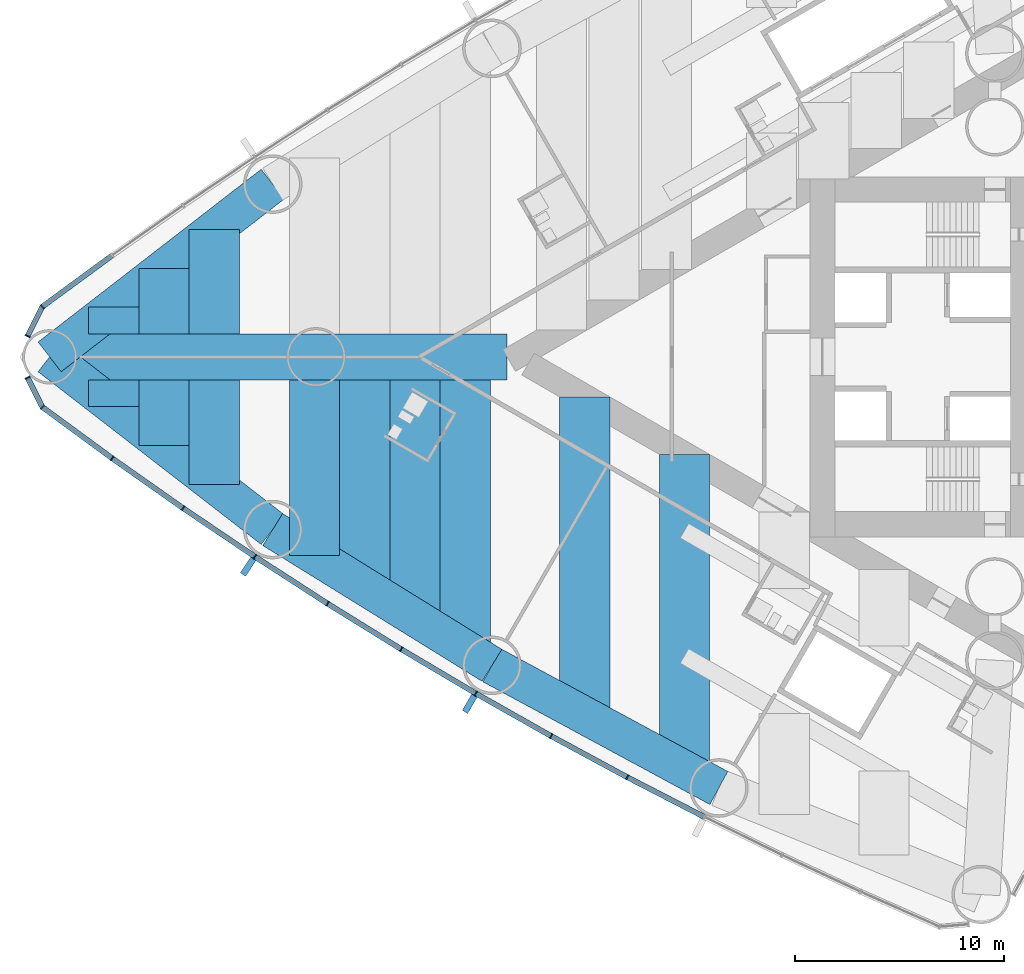
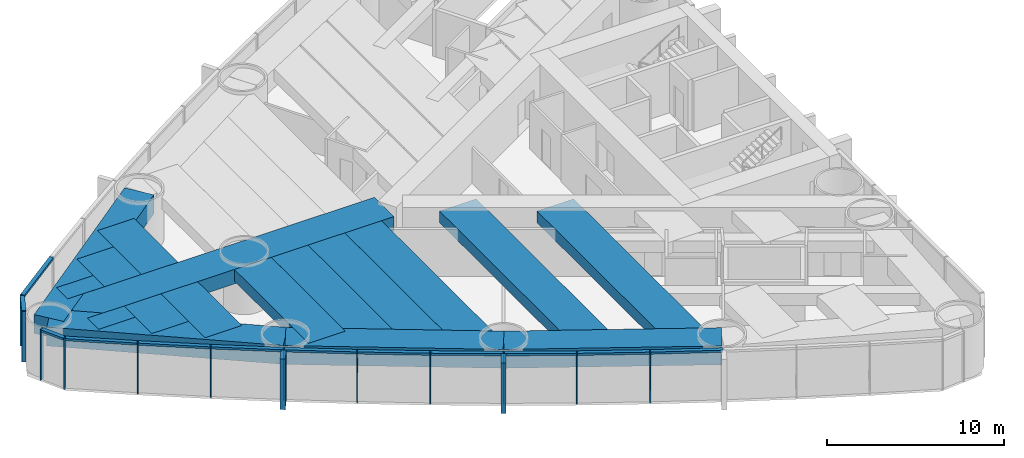
# One storey, part 2 of 18: 26 members, 17 beams, 2 elements without a shape of their own.
"""IFC4 building model written with IfcOpenShell, lengths in metres."""

from ifc_helpers import new_model, si_unit, direction, frame, origin, origin_2d, place, context, subcontext, project, spatial, rectangle, extrude, material, material_profile, profile_set, type_object, element, aggregate, save


model = new_model("IFC4")

# Units and contexts
model_context = context("Model", 3, precision=1e-05, world=origin(), true_north=direction((0.0, 1.0)))
body_context = subcontext(model_context, "Body", "Model", "MODEL_VIEW")
ifc_project = project(units=[si_unit("LENGTHUNIT", "METRE"), si_unit("AREAUNIT", "SQUARE_METRE"), si_unit("VOLUMEUNIT", "CUBIC_METRE"), si_unit("PLANEANGLEUNIT", "RADIAN"), si_unit("MASSUNIT", "GRAM", prefix="KILO")], contexts=[model_context])

# Site, building, storey
site_placement = place(None, origin())
site = spatial("IfcSite", under=ifc_project, at=site_placement, CompositionType="ELEMENT")
building_placement = place(site_placement, origin())
building = spatial("IfcBuilding", under=site, at=building_placement, Name="Lancet Gate Hotel", CompositionType="ELEMENT")
storey_placement = place(building_placement, frame((0.0, 0.0, 42.5)))
storey = spatial("IfcBuildingStorey", under=building, at=storey_placement, Name="L10", CompositionType="ELEMENT", Elevation=42.5)

# Curtain wall, members
ifc_material_1 = material(Name="Aluminium curtain wall", Category="aluminium")
curtain_wall_type = type_object("IfcCurtainWallType", Name="Tower unitised curtain wall", PredefinedType="USERDEFINED", material=ifc_material_1)
curtain_wall_1_placement = place(storey_placement, origin())
curtain_wall_1 = element("IfcCurtainWall", 1, at=curtain_wall_1_placement, inside=storey, type_object=curtain_wall_type, Name="T1 L10 curtain wall 2", ObjectType="UNITISED CURTAIN WALL", PredefinedType="USERDEFINED")
ifc_material_2 = material(Name="Aluminium mullion", Category="aluminium")
ifc_material_profile_1 = material_profile(ifc_material_2, rectangle(XDim=0.06494140625, YDim=0.25, at=origin_2d()), Name="MULLION 65x250")
ifc_profile_set_1 = profile_set([ifc_material_profile_1], Name="Aluminium mullion")
member_type_1 = type_object("IfcMemberType", Name="Aluminium mullion 65x250", PredefinedType="MULLION", material=ifc_profile_set_1)
member_1_placement = place(storey_placement, frame((-74.5830078125, 2.401611328125, 0.0), z_axis=(0.0, 0.0, 1.0), x_axis=(-0.723695580132, -0.690119342793, 0.0)))
member_1 = element("IfcMember", 2, at=member_1_placement, type_object=member_type_1, Name="T1 L10 curtain wall 2 mullion 14", PredefinedType="MULLION", context=body_context, shape_type="SweptSolid", body=[
    extrude(rectangle(XDim=0.06494140625, YDim=0.25, at=origin_2d()), origin(), (0.0, 0.0, 1.0), 3.5),
])
member_2_placement = place(storey_placement, frame((-75.287109375, 0.994873046875, 0.0), z_axis=(0.0, 0.0, 1.0), x_axis=(-0.447628324726, -0.89421970617, 0.0)))
member_2 = element("IfcMember", 3, at=member_2_placement, type_object=member_type_1, Name="T1 L10 curtain wall 2 mullion 15", PredefinedType="MULLION", context=body_context, shape_type="SweptSolid", body=[
    extrude(rectangle(XDim=0.06494140625, YDim=0.25, at=origin_2d()), origin(), (0.0, 0.0, 1.0), 3.5),
])

curtain_wall_2_placement = place(storey_placement, origin())
curtain_wall_2 = element("IfcCurtainWall", 4, at=curtain_wall_2_placement, inside=storey, type_object=curtain_wall_type, Name="T1 L10 curtain wall 3", ObjectType="UNITISED CURTAIN WALL", PredefinedType="USERDEFINED")
member_3_placement = place(storey_placement, frame((-75.287109375, -0.994873046875, 0.0), z_axis=(0.0, 0.0, 1.0), x_axis=(0.447628324726, -0.89421970617, 0.0)))
member_3 = element("IfcMember", 5, at=member_3_placement, type_object=member_type_1, Name="T1 L10 curtain wall 3 mullion 1", PredefinedType="MULLION", context=body_context, shape_type="SweptSolid", body=[
    extrude(rectangle(XDim=0.06494140625, YDim=0.25, at=origin_2d()), origin(), (0.0, 0.0, 1.0), 3.5),
])
member_4_placement = place(storey_placement, frame((-74.5830078125, -2.401611328125, 0.0), z_axis=(0.0, 0.0, 1.0), x_axis=(0.723695580132, -0.690119342793, 0.0)))
member_4 = element("IfcMember", 6, at=member_4_placement, type_object=member_type_1, Name="T1 L10 curtain wall 3 mullion 2", PredefinedType="MULLION", context=body_context, shape_type="SweptSolid", body=[
    extrude(rectangle(XDim=0.06494140625, YDim=0.25, at=origin_2d()), origin(), (0.0, 0.0, 1.0), 3.5),
])
member_5_placement = place(storey_placement, frame((-71.244384765625, -4.85009765625, 0.0), z_axis=(0.0, 0.0, 1.0), x_axis=(0.812146623168, -0.583453393578, 0.0)))
member_5 = element("IfcMember", 7, at=member_5_placement, type_object=member_type_1, Name="T1 L10 curtain wall 3 mullion 3", PredefinedType="MULLION", context=body_context, shape_type="SweptSolid", body=[
    extrude(rectangle(XDim=0.06494140625, YDim=0.25, at=origin_2d()), origin(), (0.0, 0.0, 1.0), 3.5),
])
member_6_placement = place(storey_placement, frame((-67.858154296875, -7.232666015625, 0.0), z_axis=(0.0, 0.0, 1.0), x_axis=(0.823425148573, -0.56742490666, 0.0)))
member_6 = element("IfcMember", 8, at=member_6_placement, type_object=member_type_1, Name="T1 L10 curtain wall 3 mullion 4", PredefinedType="MULLION", context=body_context, shape_type="SweptSolid", body=[
    extrude(rectangle(XDim=0.06494140625, YDim=0.25, at=origin_2d()), origin(), (0.0, 0.0, 1.0), 3.5),
])
member_7_placement = place(storey_placement, frame((-64.42626953125, -9.548583984375, 0.0), z_axis=(0.0, 0.0, 1.0), x_axis=(0.834387381945, -0.55117846189, 0.0)))
member_7 = element("IfcMember", 9, at=member_7_placement, type_object=member_type_1, Name="T1 L10 curtain wall 3 mullion 5", PredefinedType="MULLION", context=body_context, shape_type="SweptSolid", body=[
    extrude(rectangle(XDim=0.06494140625, YDim=0.25, at=origin_2d()), origin(), (0.0, 0.0, 1.0), 3.5),
])
member_8_placement = place(storey_placement, frame((-60.949462890625, -11.796630859375, 0.0), z_axis=(0.0, 0.0, 1.0), x_axis=(0.845029112489, -0.534720299827, 0.0)))
member_8 = element("IfcMember", 10, at=member_8_placement, type_object=member_type_1, Name="T1 L10 curtain wall 3 mullion 6", PredefinedType="MULLION", context=body_context, shape_type="SweptSolid", body=[
    extrude(rectangle(XDim=0.06494140625, YDim=0.25, at=origin_2d()), origin(), (0.0, 0.0, 1.0), 3.5),
])
member_9_placement = place(storey_placement, frame((-57.42919921875, -13.97607421875, 0.0), z_axis=(0.0, 0.0, 1.0), x_axis=(0.855346252548, -0.518056742309, 0.0)))
member_9 = element("IfcMember", 11, at=member_9_placement, type_object=member_type_1, Name="T1 L10 curtain wall 3 mullion 7", PredefinedType="MULLION", context=body_context, shape_type="SweptSolid", body=[
    extrude(rectangle(XDim=0.06494140625, YDim=0.25, at=origin_2d()), origin(), (0.0, 0.0, 1.0), 3.5),
])
member_10_placement = place(storey_placement, frame((-53.866943359375, -16.086181640625, 0.0), z_axis=(0.0, 0.0, 1.0), x_axis=(0.86533483912, -0.501194190115, 0.0)))
member_10 = element("IfcMember", 12, at=member_10_placement, type_object=member_type_1, Name="T1 L10 curtain wall 3 mullion 8", PredefinedType="MULLION", context=body_context, shape_type="SweptSolid", body=[
    extrude(rectangle(XDim=0.06494140625, YDim=0.25, at=origin_2d()), origin(), (0.0, 0.0, 1.0), 3.5),
])
member_11_placement = place(storey_placement, frame((-50.26416015625, -18.1259765625, 0.0), z_axis=(0.0, 0.0, 1.0), x_axis=(0.874991035403, -0.484139120464, 0.0)))
member_11 = element("IfcMember", 13, at=member_11_placement, type_object=member_type_1, Name="T1 L10 curtain wall 3 mullion 9", PredefinedType="MULLION", context=body_context, shape_type="SweptSolid", body=[
    extrude(rectangle(XDim=0.06494140625, YDim=0.25, at=origin_2d()), origin(), (0.0, 0.0, 1.0), 3.5),
])
member_12_placement = place(storey_placement, frame((-46.6220703125, -20.094970703125, 0.0), z_axis=(0.0, 0.0, 1.0), x_axis=(0.884311132302, -0.466898084475, 0.0)))
member_12 = element("IfcMember", 14, at=member_12_placement, type_object=member_type_1, Name="T1 L10 curtain wall 3 mullion 10", PredefinedType="MULLION", context=body_context, shape_type="SweptSolid", body=[
    extrude(rectangle(XDim=0.06494140625, YDim=0.25, at=origin_2d()), origin(), (0.0, 0.0, 1.0), 3.5),
])

# Member
ifc_material_3 = material(Name="Aluminium transom", Category="aluminium")
ifc_material_profile_2 = material_profile(ifc_material_3, rectangle(XDim=0.25, YDim=0.14990234375, at=origin_2d()), Name="TRANSOM 250x150")
ifc_profile_set_2 = profile_set([ifc_material_profile_2], Name="Aluminium transom")
member_type_2 = type_object("IfcMemberType", Name="Aluminium transom 250x150", PredefinedType="USERDEFINED", material=ifc_profile_set_2)
member_13_placement = place(storey_placement, frame((-71.2705078125, 4.8310546875, 3.425048828125), z_axis=(-0.806366902144, -0.59141560609, 0.0), x_axis=(0.59141560609, -0.806366902144, 0.0)))
member_13 = element("IfcMember", 15, at=member_13_placement, type_object=member_type_2, Name="T1 L10 curtain wall 2 transom 13", ObjectType="TRANSOM", PredefinedType="USERDEFINED", context=body_context, shape_type="SweptSolid", body=[
    extrude(rectangle(XDim=0.25, YDim=0.14990234375, at=origin_2d()), origin(), (0.0, 0.0, 1.0), 4.0751953125),
])

member_14_placement = place(storey_placement, frame((-74.597412109375, 2.37255859375, 3.425048828125), z_axis=(-0.447731503446, -0.894168049542, 0.0), x_axis=(0.894168049542, -0.447731503446, 0.0)))
member_14 = element("IfcMember", 16, at=member_14_placement, type_object=member_type_2, Name="T1 L10 curtain wall 2 transom 14", ObjectType="TRANSOM", PredefinedType="USERDEFINED", context=body_context, shape_type="SweptSolid", body=[
    extrude(rectangle(XDim=0.25, YDim=0.14990234375, at=origin_2d()), origin(), (0.0, 0.0, 1.0), 1.50830078125),
])

aggregate(curtain_wall_1, [member_1, member_2, member_13, member_14])

member_15_placement = place(storey_placement, frame((-75.272705078125, -1.02392578125, 3.425048828125), z_axis=(0.447731503446, -0.894168049542, 0.0), x_axis=(0.894168049542, 0.447731503446, 0.0)))
member_15 = element("IfcMember", 17, at=member_15_placement, type_object=member_type_2, Name="T1 L10 curtain wall 3 transom 1", ObjectType="TRANSOM", PredefinedType="USERDEFINED", context=body_context, shape_type="SweptSolid", body=[
    extrude(rectangle(XDim=0.25, YDim=0.14990234375, at=origin_2d()), origin(), (0.0, 0.0, 1.0), 1.50830078125),
])

member_16_placement = place(storey_placement, frame((-74.556640625, -2.4208984375, 3.425048828125), z_axis=(0.806366902144, -0.59141560609, 0.0), x_axis=(0.59141560609, 0.806366902144, 0.0)))
member_16 = element("IfcMember", 18, at=member_16_placement, type_object=member_type_2, Name="T1 L10 curtain wall 3 transom 2", ObjectType="TRANSOM", PredefinedType="USERDEFINED", context=body_context, shape_type="SweptSolid", body=[
    extrude(rectangle(XDim=0.25, YDim=0.14990234375, at=origin_2d()), origin(), (0.0, 0.0, 1.0), 4.0751953125),
])

member_17_placement = place(storey_placement, frame((-71.2177734375, -4.868896484375, 3.425048828125), z_axis=(0.817833568345, -0.57545482402, 0.0), x_axis=(0.57545482402, 0.817833568345, 0.0)))
member_17 = element("IfcMember", 19, at=member_17_placement, type_object=member_type_2, Name="T1 L10 curtain wall 3 transom 3", ObjectType="TRANSOM", PredefinedType="USERDEFINED", context=body_context, shape_type="SweptSolid", body=[
    extrude(rectangle(XDim=0.25, YDim=0.14990234375, at=origin_2d()), origin(), (0.0, 0.0, 1.0), 4.075439453125),
])

member_18_placement = place(storey_placement, frame((-67.831298828125, -7.2509765625, 3.425048828125), z_axis=(0.828959086782, -0.559309245804, 0.0), x_axis=(0.559309245804, 0.828959086782, 0.0)))
member_18 = element("IfcMember", 20, at=member_18_placement, type_object=member_type_2, Name="T1 L10 curtain wall 3 transom 4", ObjectType="TRANSOM", PredefinedType="USERDEFINED", context=body_context, shape_type="SweptSolid", body=[
    extrude(rectangle(XDim=0.25, YDim=0.14990234375, at=origin_2d()), origin(), (0.0, 0.0, 1.0), 4.0751953125),
])

member_19_placement = place(storey_placement, frame((-64.39892578125, -9.566162109375, 3.425048828125), z_axis=(0.839729242404, -0.543005340169, 0.0), x_axis=(0.543005340169, 0.839729242404, 0.0)))
member_19 = element("IfcMember", 21, at=member_19_placement, type_object=member_type_2, Name="T1 L10 curtain wall 3 transom 5", ObjectType="TRANSOM", PredefinedType="USERDEFINED", context=body_context, shape_type="SweptSolid", body=[
    extrude(rectangle(XDim=0.25, YDim=0.14990234375, at=origin_2d()), origin(), (0.0, 0.0, 1.0), 4.0751953125),
])

member_20_placement = place(storey_placement, frame((-60.921875, -11.813720703125, 3.425048828125), z_axis=(0.850242165643, -0.526391736032, 0.0), x_axis=(0.526391736032, 0.850242165643, 0.0)))
member_20 = element("IfcMember", 22, at=member_20_placement, type_object=member_type_2, Name="T1 L10 curtain wall 3 transom 6", ObjectType="TRANSOM", PredefinedType="USERDEFINED", context=body_context, shape_type="SweptSolid", body=[
    extrude(rectangle(XDim=0.25, YDim=0.14990234375, at=origin_2d()), origin(), (0.0, 0.0, 1.0), 4.075439453125),
])

member_21_placement = place(storey_placement, frame((-57.4013671875, -13.99267578125, 3.425048828125), z_axis=(0.86039174806, -0.509633240547, 0.0), x_axis=(0.509633240547, 0.86039174806, 0.0)))
member_21 = element("IfcMember", 23, at=member_21_placement, type_object=member_type_2, Name="T1 L10 curtain wall 3 transom 7", ObjectType="TRANSOM", PredefinedType="USERDEFINED", context=body_context, shape_type="SweptSolid", body=[
    extrude(rectangle(XDim=0.25, YDim=0.14990234375, at=origin_2d()), origin(), (0.0, 0.0, 1.0), 4.0751953125),
])

member_22_placement = place(storey_placement, frame((-53.838623046875, -16.102294921875, 3.425048828125), z_axis=(0.870197729943, -0.492702659625, 0.0), x_axis=(0.492702659625, 0.870197729943, 0.0)))
member_22 = element("IfcMember", 24, at=member_22_placement, type_object=member_type_2, Name="T1 L10 curtain wall 3 transom 8", ObjectType="TRANSOM", PredefinedType="USERDEFINED", context=body_context, shape_type="SweptSolid", body=[
    extrude(rectangle(XDim=0.25, YDim=0.14990234375, at=origin_2d()), origin(), (0.0, 0.0, 1.0), 4.0751953125),
])

member_23_placement = place(storey_placement, frame((-50.235595703125, -18.1416015625, 3.425048828125), z_axis=(0.87971396408, -0.475503250675, 0.0), x_axis=(0.475503250675, 0.87971396408, 0.0)))
member_23 = element("IfcMember", 25, at=member_23_placement, type_object=member_type_2, Name="T1 L10 curtain wall 3 transom 9", ObjectType="TRANSOM", PredefinedType="USERDEFINED", context=body_context, shape_type="SweptSolid", body=[
    extrude(rectangle(XDim=0.25, YDim=0.14990234375, at=origin_2d()), origin(), (0.0, 0.0, 1.0), 4.0751953125),
])

member_24_placement = place(storey_placement, frame((-46.593017578125, -20.10986328125, 3.425048828125), z_axis=(0.888859972399, -0.458178949175, 0.0), x_axis=(0.458178949175, 0.888859972399, 0.0)))
member_24 = element("IfcMember", 26, at=member_24_placement, type_object=member_type_2, Name="T1 L10 curtain wall 3 transom 10", ObjectType="TRANSOM", PredefinedType="USERDEFINED", context=body_context, shape_type="SweptSolid", body=[
    extrude(rectangle(XDim=0.25, YDim=0.14990234375, at=origin_2d()), origin(), (0.0, 0.0, 1.0), 4.0751953125),
])

# Beams
ifc_material_4 = material(Name="Concrete C50/60", Category="concrete")
ifc_material_profile_3 = material_profile(ifc_material_4, rectangle(XDim=1.800048828125, YDim=1.300048828125, at=origin_2d()), Name="RC 1800x1300")
ifc_profile_set_3 = profile_set([ifc_material_profile_3], Name="Concrete C50/60")
beam_type_1 = type_object("IfcBeamType", Name="Edge beam RC 1800x1300", PredefinedType="SPANDREL", material=ifc_profile_set_3)
for number, where, z_axis, x_axis, name in (
    (27, (-63.57177734375, 8.255126953125, 2.60009765625), (-0.790736428665, -0.612156761281, 0.0), (0.612156761281, -0.790736428665, 0.0), "T1 edge beam EB1 L10"),
    (28, (-74.235107421875, 0.0, 2.60009765625), (0.790736428665, -0.612156761281, 0.0), (0.612156761281, 0.790736428665, 0.0), "T1 edge beam EB1 L10"),
):
    element("IfcBeam", number, at=place(storey_placement, frame(where, z_axis=z_axis, x_axis=x_axis)), inside=storey, type_object=beam_type_1, Name=name, PredefinedType="SPANDREL", context=body_context, shape_type="SweptSolid", body=[
        extrude(rectangle(XDim=1.800048828125, YDim=1.300048828125, at=origin_2d()), origin(), (0.0, 0.0, 1.0), 13.4853515625),
    ])
for number, where, z_axis, x_axis, name in (
    (29, (-63.57177734375, -8.255126953125, 2.60009765625), (0.850225894333, -0.526418016984, 0.0), (0.526418016984, 0.850225894333, 0.0), "T1 edge beam EB1 L10"),
    (30, (-53.090087890625, -14.744873046875, 2.60009765625), (0.879692855603, -0.475542300749, 0.0), (0.475542300749, 0.879692855603, 0.0), "T1 edge beam EB1 L10"),
):
    element("IfcBeam", number, at=place(storey_placement, frame(where, z_axis=z_axis, x_axis=x_axis)), inside=storey, type_object=beam_type_1, Name=name, PredefinedType="SPANDREL", context=body_context, shape_type="SweptSolid", body=[
        extrude(rectangle(XDim=1.800048828125, YDim=1.300048828125, at=origin_2d()), origin(), (0.0, 0.0, 1.0), 12.328125),
    ])

# Member
ifc_material_5 = material(Name="Precast concrete C50/60", Category="concrete")
ifc_material_profile_4 = material_profile(ifc_material_5, rectangle(XDim=0.300048828125, YDim=0.89990234375, at=origin_2d()), Name="FIN 300x900")
ifc_profile_set_4 = profile_set([ifc_material_profile_4], Name="Precast concrete C50/60")
member_type_3 = type_object("IfcMemberType", Name="Exposed concrete fin 300x900", PredefinedType="USERDEFINED", material=ifc_profile_set_4)
member_25_placement = place(storey_placement, frame((-64.7431640625, -10.0283203125, 0.0), z_axis=(0.0, 0.0, 1.0), x_axis=(0.834387381945, -0.55117846189, 0.0)))
member_25 = element("IfcMember", 31, at=member_25_placement, type_object=member_type_3, Name="T1 L10 curtain wall 3 fin 5", ObjectType="FIN", PredefinedType="USERDEFINED", context=body_context, shape_type="SweptSolid", body=[
    extrude(rectangle(XDim=0.300048828125, YDim=0.89990234375, at=origin_2d()), origin(), (0.0, 0.0, 1.0), 3.5),
])

member_26_placement = place(storey_placement, frame((-54.1552734375, -16.583740234375, 0.0), z_axis=(0.0, 0.0, 1.0), x_axis=(0.86533483912, -0.501194190115, 0.0)))
member_26 = element("IfcMember", 32, at=member_26_placement, type_object=member_type_3, Name="T1 L10 curtain wall 3 fin 8", ObjectType="FIN", PredefinedType="USERDEFINED", context=body_context, shape_type="SweptSolid", body=[
    extrude(rectangle(XDim=0.300048828125, YDim=0.89990234375, at=origin_2d()), origin(), (0.0, 0.0, 1.0), 3.5),
])

aggregate(curtain_wall_2, [member_3, member_4, member_5, member_6, member_7, member_25, member_8, member_9, member_10, member_26, member_11, member_12, member_15, member_16, member_17, member_18, member_19, member_20, member_21, member_22, member_23, member_24])

# Beams
ifc_material_6 = material(Name="Concrete C50/60", Category="concrete")
ifc_material_profile_5 = material_profile(ifc_material_6, rectangle(XDim=2.39990234375, YDim=0.800048828125, at=origin_2d()), Name="RC 2400x800")
ifc_profile_set_5 = profile_set([ifc_material_profile_5], Name="Concrete C50/60")
beam_type_2 = type_object("IfcBeamType", Name="Floor beam RC 2400x800", PredefinedType="BEAM", material=ifc_profile_set_5)
beam_1_placement = place(storey_placement, frame((-43.891357421875, -4.663330078125, 2.85009765625), z_axis=(0.0, -1.0, 0.0), x_axis=(1.0, 0.0, 0.0)))
element("IfcBeam", 33, at=beam_1_placement, inside=storey, type_object=beam_type_2, Name="T1 floor beam F08N L10", PredefinedType="BEAM", context=body_context, shape_type="SweptSolid", body=[
    extrude(rectangle(XDim=2.39990234375, YDim=0.800048828125, at=origin_2d()), origin(), (0.0, 0.0, 1.0), 15.05419921875),
])
beam_2_placement = place(storey_placement, frame((-48.66015625, -1.909912109375, 2.85009765625), z_axis=(0.0, -1.0, 0.0), x_axis=(1.0, 0.0, 0.0)))
element("IfcBeam", 34, at=beam_2_placement, inside=storey, type_object=beam_type_2, Name="T1 floor beam F11N L10", PredefinedType="BEAM", context=body_context, shape_type="SweptSolid", body=[
    extrude(rectangle(XDim=2.39990234375, YDim=0.800048828125, at=origin_2d()), origin(), (0.0, 0.0, 1.0), 15.229736328125),
])
beam_3_placement = place(storey_placement, frame((-54.3681640625, -1.10009765625, 2.85009765625), z_axis=(0.0, -1.0, 0.0), x_axis=(1.0, 0.0, 0.0)))
element("IfcBeam", 35, at=beam_3_placement, inside=storey, type_object=beam_type_2, Name="T1 floor beam F14N L10", PredefinedType="BEAM", context=body_context, shape_type="SweptSolid", body=[
    extrude(rectangle(XDim=2.39990234375, YDim=0.800048828125, at=origin_2d()), origin(), (0.0, 0.0, 1.0), 12.853515625),
])
beam_4_placement = place(storey_placement, frame((-56.768310546875, -1.10009765625, 2.85009765625), z_axis=(0.0, -1.0, 0.0), x_axis=(1.0, 0.0, 0.0)))
element("IfcBeam", 36, at=beam_4_placement, inside=storey, type_object=beam_type_2, Name="T1 floor beam F16N L10", PredefinedType="BEAM", context=body_context, shape_type="SweptSolid", body=[
    extrude(rectangle(XDim=2.39990234375, YDim=0.800048828125, at=origin_2d()), origin(), (0.0, 0.0, 1.0), 11.367431640625),
])
beam_5_placement = place(storey_placement, frame((-59.168212890625, -1.10009765625, 2.85009765625), z_axis=(0.0, -1.0, 0.0), x_axis=(1.0, 0.0, 0.0)))
element("IfcBeam", 37, at=beam_5_placement, inside=storey, type_object=beam_type_2, Name="T1 floor beam F18N L10", PredefinedType="BEAM", context=body_context, shape_type="SweptSolid", body=[
    extrude(rectangle(XDim=2.39990234375, YDim=0.800048828125, at=origin_2d()), origin(), (0.0, 0.0, 1.0), 9.881591796875),
])
beam_6_placement = place(storey_placement, frame((-61.568359375, -1.10009765625, 2.85009765625), z_axis=(0.0, -1.0, 0.0), x_axis=(1.0, 0.0, 0.0)))
element("IfcBeam", 38, at=beam_6_placement, inside=storey, type_object=beam_type_2, Name="T1 floor beam F20N L10", PredefinedType="BEAM", context=body_context, shape_type="SweptSolid", body=[
    extrude(rectangle(XDim=2.39990234375, YDim=0.800048828125, at=origin_2d()), origin(), (0.0, 0.0, 1.0), 8.395751953125),
])
for number, where, z_axis, x_axis, name in (
    (39, (-66.3681640625, 6.09033203125, 2.85009765625), (0.0, -1.0, 0.0), (1.0, 0.0, 0.0), "T1 floor beam F21S L10"),
    (40, (-66.3681640625, -1.10009765625, 2.85009765625), (0.0, -1.0, 0.0), (1.0, 0.0, 0.0), "T1 floor beam F22N L10"),
):
    element("IfcBeam", number, at=place(storey_placement, frame(where, z_axis=z_axis, x_axis=x_axis)), inside=storey, type_object=beam_type_2, Name=name, PredefinedType="BEAM", context=body_context, shape_type="SweptSolid", body=[
        extrude(rectangle(XDim=2.39990234375, YDim=0.800048828125, at=origin_2d()), origin(), (0.0, 0.0, 1.0), 4.990234375),
    ])
for number, where, z_axis, x_axis, name in (
    (41, (-68.768310546875, 4.232421875, 2.85009765625), (0.0, -1.0, 0.0), (1.0, 0.0, 0.0), "T1 floor beam F23S L10"),
    (42, (-68.768310546875, -1.10009765625, 2.85009765625), (0.0, -1.0, 0.0), (1.0, 0.0, 0.0), "T1 floor beam F24N L10"),
):
    element("IfcBeam", number, at=place(storey_placement, frame(where, z_axis=z_axis, x_axis=x_axis)), inside=storey, type_object=beam_type_2, Name=name, PredefinedType="BEAM", context=body_context, shape_type="SweptSolid", body=[
        extrude(rectangle(XDim=2.39990234375, YDim=0.800048828125, at=origin_2d()), origin(), (0.0, 0.0, 1.0), 3.13232421875),
    ])
for number, where, z_axis, x_axis, name in (
    (43, (-71.168212890625, 2.374267578125, 2.85009765625), (0.0, -1.0, 0.0), (1.0, 0.0, 0.0), "T1 floor beam F25S L10"),
    (44, (-71.168212890625, -1.10009765625, 2.85009765625), (0.0, -1.0, 0.0), (1.0, 0.0, 0.0), "T1 floor beam F26N L10"),
):
    element("IfcBeam", number, at=place(storey_placement, frame(where, z_axis=z_axis, x_axis=x_axis)), inside=storey, type_object=beam_type_2, Name=name, PredefinedType="BEAM", context=body_context, shape_type="SweptSolid", body=[
        extrude(rectangle(XDim=2.39990234375, YDim=0.800048828125, at=origin_2d()), origin(), (0.0, 0.0, 1.0), 1.274169921875),
    ])
ifc_material_7 = material(Name="Concrete C50/60", Category="concrete")
ifc_material_profile_6 = material_profile(ifc_material_7, rectangle(XDim=2.199951171875, YDim=1.0, at=origin_2d()), Name="RC 2200x1000")
ifc_profile_set_6 = profile_set([ifc_material_profile_6], Name="Concrete C50/60")
beam_type_3 = type_object("IfcBeamType", Name="Radial floor beam RC 2200x1000", PredefinedType="BEAM", material=ifc_profile_set_6)
beam_7_placement = place(storey_placement, frame((-74.235107421875, 0.0, 2.75), z_axis=(1.0, 0.0, 0.0), x_axis=(0.0, 1.0, 0.0)))
element("IfcBeam", 45, at=beam_7_placement, inside=storey, type_object=beam_type_3, Name="T1 radial beam CA L10", PredefinedType="BEAM", context=body_context, shape_type="SweptSolid", body=[
    extrude(rectangle(XDim=2.199951171875, YDim=1.0, at=origin_2d()), origin(), (0.0, 0.0, 1.0), 21.866943359375),
])

save(model, "model.ifc")
